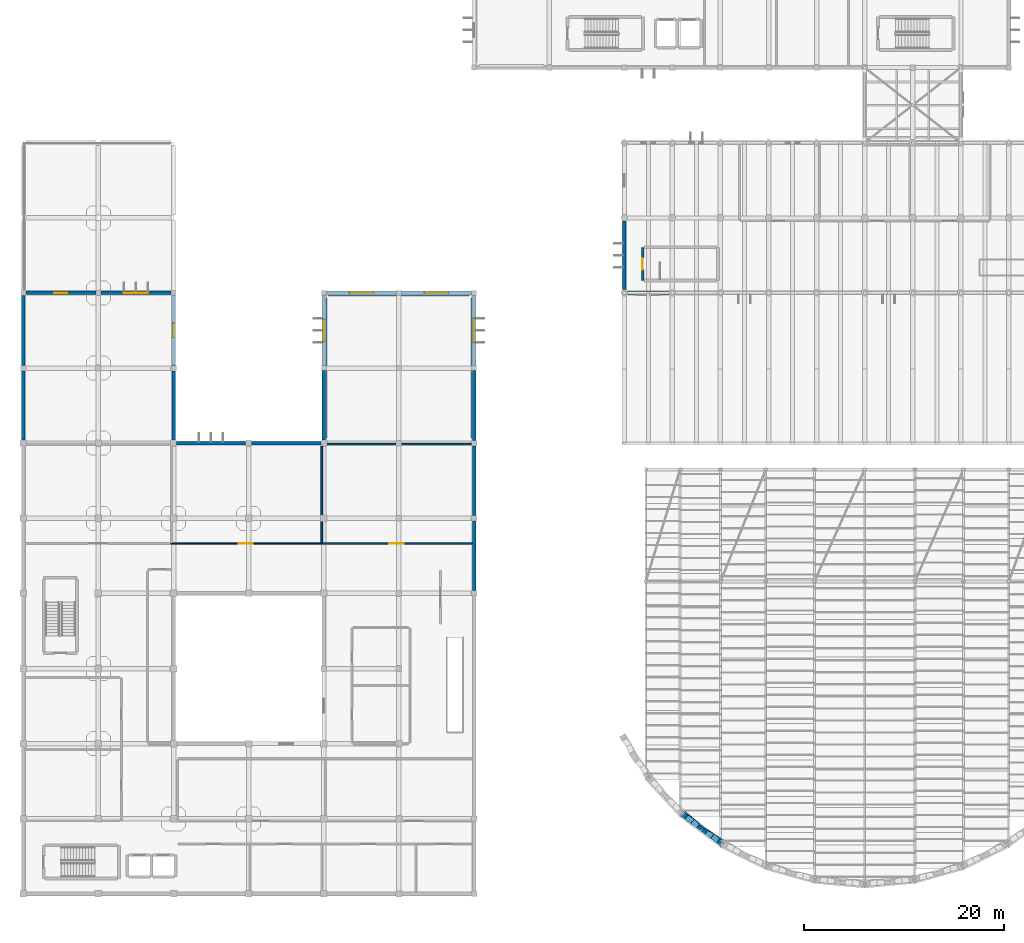
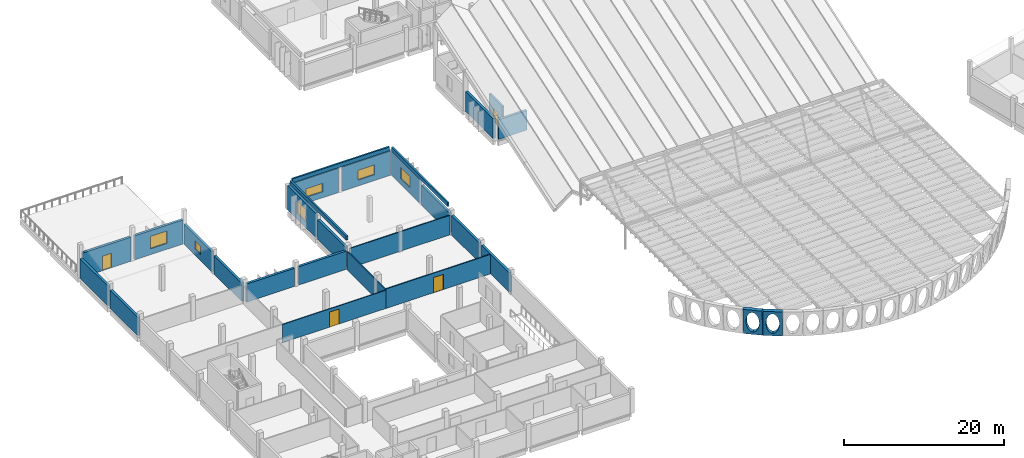
# One storey, part 26 of 47: 28 walls, 6 windows, 4 doors, 12 openings.
"""IFC4 building model written with IfcOpenShell, lengths in metres."""

from ifc_helpers import new_model, si_unit, direction, frame, frame_2d, origin, place, context, subcontext, project, spatial, polyline, rectangle, outline, extrude, material, layer, layer_set, type_object, element, fill, save


model = new_model("IFC4")

# Units and contexts
model_context = context("Model", 3, precision=1e-05, world=origin(), true_north=direction((0.0, 1.0)))
body_context = subcontext(model_context, "Body", "Model", "MODEL_VIEW")
ifc_project = project(units=[si_unit("LENGTHUNIT", "METRE"), si_unit("AREAUNIT", "SQUARE_METRE"), si_unit("VOLUMEUNIT", "CUBIC_METRE"), si_unit("PLANEANGLEUNIT", "RADIAN"), si_unit("MASSUNIT", "GRAM", prefix="KILO")], contexts=[model_context])

# Site, building, storey
site_placement = place(None, origin())
site = spatial("IfcSite", under=ifc_project, at=site_placement, CompositionType="ELEMENT")
building_placement = place(site_placement, origin())
building = spatial("IfcBuilding", under=site, at=building_placement, Name="Mawjan Specialist Oncology Clinic", CompositionType="ELEMENT")
storey_placement = place(building_placement, frame((0.0, 0.0, 9.5)))
storey = spatial("IfcBuildingStorey", under=building, at=storey_placement, Name="L02", CompositionType="ELEMENT", Elevation=9.5)

# Walls
ifc_material_1 = material(Name="Precast concrete C40/50", Category="concrete")
ifc_layer_1 = layer(ifc_material_1, 0.35009765625, Name="Precast concrete C40/50", Category="concrete")
ifc_layer_set_1 = layer_set([ifc_layer_1], Name="Precast concrete C40/50")
wall_type_1 = type_object("IfcWallType", Name="EW-350", PredefinedType="SOLIDWALL", material=ifc_layer_set_1)
for number, where, z_axis, x_axis, name in (
    (1, (15.300048828125, 45.800048828125, 0.0), (0.0, 0.0, 1.0), (1.0, 0.0, 0.0), "L02 Coral-Limestone Exterior Wall EW-L02-168"),
    (2, (22.800048828125, 45.800048828125, 0.0), (0.0, 0.0, 1.0), (1.0, 0.0, 0.0), "L02 Coral-Limestone Exterior Wall EW-L02-169"),
):
    element("IfcWall", number, at=place(storey_placement, frame(where, z_axis=z_axis, x_axis=x_axis)), inside=storey, type_object=wall_type_1, Name=name, PredefinedType="SOLIDWALL", context=body_context, shape_type="SweptSolid", body=[
        extrude(rectangle(XDim=6.89990234375, YDim=0.35009765625, at=frame_2d((3.449951171875, 0.0))), origin(), (0.0, 0.0, 1.0), 2.784912109375),
    ])
wall_1_placement = place(storey_placement, frame((30.0, 46.10009765625, 0.0), z_axis=(0.0, 0.0, 1.0), x_axis=(0.0, 1.0, 0.0)))
element("IfcWall", 3, at=wall_1_placement, inside=storey, type_object=wall_type_1, Name="L02 Coral-Limestone Exterior Wall EW-L02-170", PredefinedType="SOLIDWALL", context=body_context, shape_type="SweptSolid", body=[
    extrude(rectangle(XDim=6.949951171875, YDim=0.35009765625, at=frame_2d((3.47509765625, 0.0))), origin(), (0.0, 0.0, 1.0), 3.034912109375),
])

# Wall, opening, window
wall_2_placement = place(storey_placement, frame((30.0, 53.550048828125, 0.0), z_axis=(0.0, 0.0, 1.0), x_axis=(0.0, 1.0, 0.0)))
wall_2 = element("IfcWall", 4, at=wall_2_placement, inside=storey, type_object=wall_type_1, Name="L02 Coral-Limestone Exterior Wall EW-L02-171", PredefinedType="SOLIDWALL", context=body_context, shape_type="SweptSolid", body=[
    extrude(rectangle(XDim=7.0, YDim=0.35009765625, at=frame_2d((3.5, 0.0))), origin(), (0.0, 0.0, 1.0), 3.699951171875),
])
opening_1_placement = place(wall_2_placement, frame((2.39990234375, 0.0, 0.89990234375)))
opening_1 = element("IfcOpeningElement", 5, at=opening_1_placement, cuts=wall_2, Name="Opening WN-32", PredefinedType="OPENING", context=body_context, shape_type="SweptSolid", body=[
    extrude(rectangle(XDim=2.199951171875, YDim=1.89990234375, at=frame_2d((1.10009765625, 0.949951171875))), frame((0.0, 0.18701171875, 0.0), z_axis=(0.0, -1.0, 0.0), x_axis=(1.0, 0.0, 0.0)), (0.0, 0.0, 1.0), 0.3740234375),
])
ifc_material_2 = material(Name="Thermally broken low-E clinical aluminium window", Category="aluminium")
window_type_1 = type_object("IfcWindowType", Name="WN-32", PartitioningType="DOUBLE_PANEL_VERTICAL", PredefinedType="WINDOW", material=ifc_material_2)
window_1_placement = place(opening_1_placement, origin())
window_1 = element("IfcWindow", 6, at=window_1_placement, inside=storey, type_object=window_type_1, Name="L02 Clinical Low-E Window 032", OverallHeight=1.89990234375, OverallWidth=2.199951171875, PartitioningType="DOUBLE_PANEL_VERTICAL", PredefinedType="WINDOW", context=body_context, shape_type="SweptSolid", body=[
    extrude(rectangle(XDim=2.199951171875, YDim=1.89990234375, at=frame_2d((1.10009765625, 0.949951171875))), frame((0.0, 0.030029296875, 0.0), z_axis=(0.0, -1.0, 0.0), x_axis=(1.0, 0.0, 0.0)), (0.0, 0.0, 1.0), 0.06005859375),
])
fill(opening_1, window_1)

wall_3_placement = place(storey_placement, frame((30.25, 60.800048828125, 0.0), z_axis=(0.0, 0.0, 1.0), x_axis=(1.0, 0.0, 0.0)))
wall_3 = element("IfcWall", 7, at=wall_3_placement, inside=storey, type_object=wall_type_1, Name="L02 Coral-Limestone Exterior Wall EW-L02-172", PredefinedType="SOLIDWALL", context=body_context, shape_type="SweptSolid", body=[
    extrude(rectangle(XDim=7.0, YDim=0.35009765625, at=frame_2d((3.5, 0.0))), origin(), (0.0, 0.0, 1.0), 3.699951171875),
])
opening_2_placement = place(wall_3_placement, frame((2.300048828125, 0.0, 0.89990234375)))
opening_2 = element("IfcOpeningElement", 8, at=opening_2_placement, cuts=wall_3, Name="Opening WN-33", PredefinedType="OPENING", context=body_context, shape_type="SweptSolid", body=[
    extrude(rectangle(XDim=2.39990234375, YDim=1.300048828125, at=frame_2d((1.199951171875, 0.64990234375))), frame((0.0, 0.18701171875, 0.0), z_axis=(0.0, -1.0, 0.0), x_axis=(1.0, 0.0, 0.0)), (0.0, 0.0, 1.0), 0.3740234375),
])
ifc_material_3 = material(Name="Thermally broken low-E clinical aluminium window", Category="aluminium")
window_type_2 = type_object("IfcWindowType", Name="WN-33", PartitioningType="DOUBLE_PANEL_VERTICAL", PredefinedType="WINDOW", material=ifc_material_3)
window_2_placement = place(opening_2_placement, origin())
window_2 = element("IfcWindow", 9, at=window_2_placement, inside=storey, type_object=window_type_2, Name="L02 Clinical Low-E Window 033", OverallHeight=1.300048828125, OverallWidth=2.39990234375, PartitioningType="DOUBLE_PANEL_VERTICAL", PredefinedType="WINDOW", context=body_context, shape_type="SweptSolid", body=[
    extrude(rectangle(XDim=2.39990234375, YDim=1.300048828125, at=frame_2d((1.199951171875, 0.64990234375))), frame((0.0, 0.030029296875, 0.0), z_axis=(0.0, -1.0, 0.0), x_axis=(1.0, 0.0, 0.0)), (0.0, 0.0, 1.0), 0.06005859375),
])
fill(opening_2, window_2)

wall_4_placement = place(storey_placement, frame((37.75, 60.800048828125, 0.0), z_axis=(0.0, 0.0, 1.0), x_axis=(1.0, 0.0, 0.0)))
wall_4 = element("IfcWall", 10, at=wall_4_placement, inside=storey, type_object=wall_type_1, Name="L02 Coral-Limestone Exterior Wall EW-L02-173", PredefinedType="SOLIDWALL", context=body_context, shape_type="SweptSolid", body=[
    extrude(rectangle(XDim=7.0, YDim=0.35009765625, at=frame_2d((3.5, 0.0))), origin(), (0.0, 0.0, 1.0), 3.699951171875),
])
opening_3_placement = place(wall_4_placement, frame((2.300048828125, 0.0, 0.89990234375)))
opening_3 = element("IfcOpeningElement", 11, at=opening_3_placement, cuts=wall_4, Name="Opening WN-34", PredefinedType="OPENING", context=body_context, shape_type="SweptSolid", body=[
    extrude(rectangle(XDim=2.39990234375, YDim=1.5, at=frame_2d((1.199951171875, 0.75))), frame((0.0, 0.18701171875, 0.0), z_axis=(0.0, -1.0, 0.0), x_axis=(1.0, 0.0, 0.0)), (0.0, 0.0, 1.0), 0.3740234375),
])
ifc_material_4 = material(Name="Thermally broken low-E clinical aluminium window", Category="aluminium")
window_type_3 = type_object("IfcWindowType", Name="WN-34", PartitioningType="DOUBLE_PANEL_VERTICAL", PredefinedType="WINDOW", material=ifc_material_4)
window_3_placement = place(opening_3_placement, origin())
window_3 = element("IfcWindow", 12, at=window_3_placement, inside=storey, type_object=window_type_3, Name="L02 Clinical Low-E Window 034", OverallHeight=1.5, OverallWidth=2.39990234375, PartitioningType="DOUBLE_PANEL_VERTICAL", PredefinedType="WINDOW", context=body_context, shape_type="SweptSolid", body=[
    extrude(rectangle(XDim=2.39990234375, YDim=1.5, at=frame_2d((1.199951171875, 0.75))), frame((0.0, 0.030029296875, 0.0), z_axis=(0.0, -1.0, 0.0), x_axis=(1.0, 0.0, 0.0)), (0.0, 0.0, 1.0), 0.06005859375),
])
fill(opening_3, window_3)

wall_5_placement = place(storey_placement, frame((45.0, 60.550048828125, 0.0), z_axis=(0.0, 0.0, 1.0), x_axis=(0.0, -1.0, 0.0)))
wall_5 = element("IfcWall", 13, at=wall_5_placement, inside=storey, type_object=wall_type_1, Name="L02 Coral-Limestone Exterior Wall EW-L02-174", PredefinedType="SOLIDWALL", context=body_context, shape_type="SweptSolid", body=[
    extrude(rectangle(XDim=7.0, YDim=0.35009765625, at=frame_2d((3.5, 0.0))), origin(), (0.0, 0.0, 1.0), 3.699951171875),
])
opening_4_placement = place(wall_5_placement, frame((2.300048828125, 0.0, 0.89990234375)))
opening_4 = element("IfcOpeningElement", 14, at=opening_4_placement, cuts=wall_5, Name="Opening WN-35", PredefinedType="OPENING", context=body_context, shape_type="SweptSolid", body=[
    extrude(rectangle(XDim=2.39990234375, YDim=1.699951171875, at=frame_2d((1.199951171875, 0.85009765625))), frame((0.0, 0.18701171875, 0.0), z_axis=(0.0, -1.0, 0.0), x_axis=(1.0, 0.0, 0.0)), (0.0, 0.0, 1.0), 0.3740234375),
])
ifc_material_5 = material(Name="Thermally broken low-E clinical aluminium window", Category="aluminium")
window_type_4 = type_object("IfcWindowType", Name="WN-35", PartitioningType="DOUBLE_PANEL_VERTICAL", PredefinedType="WINDOW", material=ifc_material_5)
window_4_placement = place(opening_4_placement, origin())
window_4 = element("IfcWindow", 15, at=window_4_placement, inside=storey, type_object=window_type_4, Name="L02 Clinical Low-E Window 035", OverallHeight=1.699951171875, OverallWidth=2.39990234375, PartitioningType="DOUBLE_PANEL_VERTICAL", PredefinedType="WINDOW", context=body_context, shape_type="SweptSolid", body=[
    extrude(rectangle(XDim=2.39990234375, YDim=1.699951171875, at=frame_2d((1.199951171875, 0.85009765625))), frame((0.0, 0.030029296875, 0.0), z_axis=(0.0, -1.0, 0.0), x_axis=(1.0, 0.0, 0.0)), (0.0, 0.0, 1.0), 0.06005859375),
])
fill(opening_4, window_4)

# Walls
wall_6_placement = place(storey_placement, frame((45.0, 53.050048828125, 0.0), z_axis=(0.0, 0.0, 1.0), x_axis=(0.0, -1.0, 0.0)))
element("IfcWall", 16, at=wall_6_placement, inside=storey, type_object=wall_type_1, Name="L02 Coral-Limestone Exterior Wall EW-L02-175", PredefinedType="SOLIDWALL", context=body_context, shape_type="SweptSolid", body=[
    extrude(rectangle(XDim=6.97509765625, YDim=0.35009765625, at=frame_2d((3.487548828125, 0.0))), origin(), (0.0, 0.0, 1.0), 3.034912109375),
])
for number, where, z_axis, x_axis, name in (
    (17, (45.0, 45.52490234375, 0.0), (0.0, 0.0, 1.0), (0.0, -1.0, 0.0), "L02 Coral-Limestone Exterior Wall EW-L02-176"),
    (18, (45.0, 38.02490234375, 0.0), (0.0, 0.0, 1.0), (0.0, -1.0, 0.0), "L02 Coral-Limestone Exterior Wall EW-L02-177"),
):
    element("IfcWall", number, at=place(storey_placement, frame(where, z_axis=z_axis, x_axis=x_axis)), inside=storey, type_object=wall_type_1, Name=name, PredefinedType="SOLIDWALL", context=body_context, shape_type="SweptSolid", body=[
        extrude(rectangle(XDim=6.949951171875, YDim=0.35009765625, at=frame_2d((3.47509765625, 0.0))), origin(), (0.0, 0.0, 1.0), 2.985107421875),
    ])
wall_7_placement = place(storey_placement, frame((0.0, 46.10009765625, 0.0), z_axis=(0.0, 0.0, 1.0), x_axis=(0.0, 1.0, 0.0)))
element("IfcWall", 19, at=wall_7_placement, inside=storey, type_object=wall_type_1, Name="L02 Coral-Limestone Exterior Wall EW-L02-192", PredefinedType="SOLIDWALL", context=body_context, shape_type="SweptSolid", body=[
    extrude(rectangle(XDim=6.9248046875, YDim=0.35009765625, at=frame_2d((3.46240234375, 0.0))), origin(), (0.0, 0.0, 1.0), 2.784912109375),
])
wall_8_placement = place(storey_placement, frame((0.0, 53.574951171875, 0.0), z_axis=(0.0, 0.0, 1.0), x_axis=(0.0, 1.0, 0.0)))
element("IfcWall", 20, at=wall_8_placement, inside=storey, type_object=wall_type_1, Name="L02 Coral-Limestone Exterior Wall EW-L02-193", PredefinedType="SOLIDWALL", context=body_context, shape_type="SweptSolid", body=[
    extrude(rectangle(XDim=6.97509765625, YDim=0.35009765625, at=frame_2d((3.487548828125, 0.0))), origin(), (0.0, 0.0, 1.0), 3.034912109375),
])

# Wall, opening, door
wall_9_placement = place(storey_placement, frame((0.25, 60.800048828125, 0.0), z_axis=(0.0, 0.0, 1.0), x_axis=(1.0, 0.0, 0.0)))
wall_9 = element("IfcWall", 21, at=wall_9_placement, inside=storey, type_object=wall_type_1, Name="L02 Coral-Limestone Exterior Wall EW-L02-194", PredefinedType="SOLIDWALL", context=body_context, shape_type="SweptSolid", body=[
    extrude(rectangle(XDim=7.0, YDim=0.35009765625, at=frame_2d((3.5, 0.0))), origin(), (0.0, 0.0, 1.0), 3.669921875),
])
opening_5_placement = place(wall_9_placement, frame((2.85009765625, 0.0, 0.0)))
opening_5 = element("IfcOpeningElement", 22, at=opening_5_placement, cuts=wall_9, Name="Opening DT-130", PredefinedType="OPENING", context=body_context, shape_type="SweptSolid", body=[
    extrude(rectangle(XDim=1.300048828125, YDim=2.199951171875, at=frame_2d((0.64990234375, 1.10009765625))), frame((0.0, 0.18701171875, 0.0), z_axis=(0.0, -1.0, 0.0), x_axis=(1.0, 0.0, 0.0)), (0.0, 0.0, 1.0), 0.3740234375),
])
ifc_material_6 = material(Name="Insulated marine-grade aluminium entrance assembly", Category="aluminium")
door_type_1 = type_object("IfcDoorType", Name="DT-130", OperationType="NOTDEFINED", PredefinedType="DOOR", material=ifc_material_6)
door_1_placement = place(opening_5_placement, origin())
door_1 = element("IfcDoor", 23, at=door_1_placement, inside=storey, type_object=door_type_1, Name="L02 Healing Terrace Access Door 2", OperationType="SINGLE_SWING_LEFT", OverallHeight=2.199951171875, OverallWidth=1.300048828125, PredefinedType="DOOR", context=body_context, shape_type="SweptSolid", body=[
    extrude(rectangle(XDim=1.300048828125, YDim=2.199951171875, at=frame_2d((0.64990234375, 1.10009765625))), frame((0.0, 0.02490234375, 0.0), z_axis=(0.0, -1.0, 0.0), x_axis=(1.0, 0.0, 0.0)), (0.0, 0.0, 1.0), 0.050048828125),
])
fill(opening_5, door_1)

# Wall, opening, window
wall_10_placement = place(storey_placement, frame((7.75, 60.800048828125, 0.0), z_axis=(0.0, 0.0, 1.0), x_axis=(1.0, 0.0, 0.0)))
wall_10 = element("IfcWall", 24, at=wall_10_placement, inside=storey, type_object=wall_type_1, Name="L02 Coral-Limestone Exterior Wall EW-L02-195", PredefinedType="SOLIDWALL", context=body_context, shape_type="SweptSolid", body=[
    extrude(rectangle(XDim=7.0, YDim=0.35009765625, at=frame_2d((3.5, 0.0))), origin(), (0.0, 0.0, 1.0), 3.669921875),
])
opening_6_placement = place(wall_10_placement, frame((2.300048828125, 0.0, 0.89990234375)))
opening_6 = element("IfcOpeningElement", 25, at=opening_6_placement, cuts=wall_10, Name="Opening WN-36", PredefinedType="OPENING", context=body_context, shape_type="SweptSolid", body=[
    extrude(rectangle(XDim=2.39990234375, YDim=1.89990234375, at=frame_2d((1.199951171875, 0.949951171875))), frame((0.0, 0.18701171875, 0.0), z_axis=(0.0, -1.0, 0.0), x_axis=(1.0, 0.0, 0.0)), (0.0, 0.0, 1.0), 0.3740234375),
])
ifc_material_7 = material(Name="Thermally broken low-E clinical aluminium window", Category="aluminium")
window_type_5 = type_object("IfcWindowType", Name="WN-36", PartitioningType="DOUBLE_PANEL_VERTICAL", PredefinedType="WINDOW", material=ifc_material_7)
window_5_placement = place(opening_6_placement, origin())
window_5 = element("IfcWindow", 26, at=window_5_placement, inside=storey, type_object=window_type_5, Name="L02 Clinical Low-E Window 036", OverallHeight=1.89990234375, OverallWidth=2.39990234375, PartitioningType="DOUBLE_PANEL_VERTICAL", PredefinedType="WINDOW", context=body_context, shape_type="SweptSolid", body=[
    extrude(rectangle(XDim=2.39990234375, YDim=1.89990234375, at=frame_2d((1.199951171875, 0.949951171875))), frame((0.0, 0.030029296875, 0.0), z_axis=(0.0, -1.0, 0.0), x_axis=(1.0, 0.0, 0.0)), (0.0, 0.0, 1.0), 0.06005859375),
])
fill(opening_6, window_5)

wall_11_placement = place(storey_placement, frame((15.0, 60.550048828125, 0.0), z_axis=(0.0, 0.0, 1.0), x_axis=(0.0, -1.0, 0.0)))
wall_11 = element("IfcWall", 27, at=wall_11_placement, inside=storey, type_object=wall_type_1, Name="L02 Coral-Limestone Exterior Wall EW-L02-196", PredefinedType="SOLIDWALL", context=body_context, shape_type="SweptSolid", body=[
    extrude(rectangle(XDim=6.97509765625, YDim=0.35009765625, at=frame_2d((3.487548828125, 0.0))), origin(), (0.0, 0.0, 1.0), 3.034912109375),
])
opening_7_placement = place(wall_11_placement, frame((2.78759765625, 0.0, 0.89990234375)))
opening_7 = element("IfcOpeningElement", 28, at=opening_7_placement, cuts=wall_11, Name="Opening WN-13", PredefinedType="OPENING", context=body_context, shape_type="SweptSolid", body=[
    extrude(rectangle(XDim=1.39990234375, YDim=1.300048828125, at=frame_2d((0.699951171875, 0.64990234375))), frame((0.0, 0.18701171875, 0.0), z_axis=(0.0, -1.0, 0.0), x_axis=(1.0, 0.0, 0.0)), (0.0, 0.0, 1.0), 0.3740234375),
])
ifc_material_8 = material(Name="Thermally broken low-E clinical aluminium window", Category="aluminium")
window_type_6 = type_object("IfcWindowType", Name="WN-13", PartitioningType="SINGLE_PANEL", PredefinedType="WINDOW", material=ifc_material_8)
window_6_placement = place(opening_7_placement, origin())
window_6 = element("IfcWindow", 29, at=window_6_placement, inside=storey, type_object=window_type_6, Name="L02 Clinical Low-E Window 037", OverallHeight=1.300048828125, OverallWidth=1.39990234375, PartitioningType="SINGLE_PANEL", PredefinedType="WINDOW", context=body_context, shape_type="SweptSolid", body=[
    extrude(rectangle(XDim=1.39990234375, YDim=1.300048828125, at=frame_2d((0.699951171875, 0.64990234375))), frame((0.0, 0.030029296875, 0.0), z_axis=(0.0, -1.0, 0.0), x_axis=(1.0, 0.0, 0.0)), (0.0, 0.0, 1.0), 0.06005859375),
])
fill(opening_7, window_6)

# Walls
wall_12_placement = place(storey_placement, frame((15.0, 53.02490234375, 0.0), z_axis=(0.0, 0.0, 1.0), x_axis=(0.0, -1.0, 0.0)))
element("IfcWall", 30, at=wall_12_placement, inside=storey, type_object=wall_type_1, Name="L02 Coral-Limestone Exterior Wall EW-L02-197", PredefinedType="SOLIDWALL", context=body_context, shape_type="SweptSolid", body=[
    extrude(rectangle(XDim=6.9248046875, YDim=0.35009765625, at=frame_2d((3.46240234375, 0.0))), origin(), (0.0, 0.0, 1.0), 2.784912109375),
])
wall_13_placement = place(storey_placement, frame((64.47509765625, 60.800048828125, 0.0), z_axis=(0.0, 0.0, 1.0), x_axis=(-1.0, 0.0, 0.0)))
element("IfcWall", 31, at=wall_13_placement, inside=storey, type_object=wall_type_1, Name="L02 Coral-Limestone Exterior Wall EW-L02-245", PredefinedType="SOLIDWALL", context=body_context, shape_type="SweptSolid", body=[
    extrude(rectangle(XDim=4.150146484375, YDim=0.35009765625, at=frame_2d((2.0751953125, 0.0))), origin(), (0.0, 0.0, 1.0), 2.994384765625),
])
wall_14_placement = place(storey_placement, frame((60.0, 61.125, 0.0), z_axis=(0.0, 0.0, 1.0), x_axis=(0.0, 1.0, 0.0)))
element("IfcWall", 32, at=wall_14_placement, inside=storey, type_object=wall_type_1, Name="L02 Coral-Limestone Exterior Wall EW-L02-246", PredefinedType="SOLIDWALL", context=body_context, shape_type="SweptSolid", body=[
    extrude(rectangle(XDim=6.85009765625, YDim=0.35009765625, at=frame_2d((3.425048828125, 0.0))), origin(), (0.0, 0.0, 1.0), 3.0576171875),
])

# Wall, opening
ifc_material_9 = material(Name="Concrete C45/55", Category="concrete")
ifc_layer_2 = layer(ifc_material_9, 0.550048828125, Name="Concrete C45/55", Category="concrete")
ifc_layer_set_2 = layer_set([ifc_layer_2], Name="Concrete C45/55")
wall_type_2 = type_object("IfcWallType", Name="EW-ARC550", PredefinedType="SOLIDWALL", material=ifc_layer_set_2)
wall_15_placement = place(storey_placement, frame((67.784423828125, 7.3095703125, 0.0), z_axis=(0.0, 0.0, 1.0), x_axis=(-0.773033287007, 0.634365460266, 0.0)))
wall_15 = element("IfcWall", 33, at=wall_15_placement, inside=storey, type_object=wall_type_2, Name="Curved Stone-Arc Wall L02 Chord 05", PredefinedType="SOLIDWALL", context=body_context, shape_type="SweptSolid", body=[
    extrude(outline(polyline([(-0.27490234375, 0.0), (0.27490234375, 0.0), (0.73095703125, 4.0), (0.1806640625, 4.0), (-0.27490234375, 0.0)])), frame((0.0, 0.0, 0.0), z_axis=(1.0, 0.0, 0.0), x_axis=(0.0, 1.0, 0.0)), (0.0, 0.0, 1.0), 2.45068359375),
])
opening_8_placement = place(wall_15_placement, origin())
element("IfcOpeningElement", 34, at=opening_8_placement, cuts=wall_15, Name="Elliptical sky opening 1", PredefinedType="OPENING", context=body_context, shape_type="SweptSolid", body=[
    extrude(outline(polyline([(2.065185546875, 2.0), (2.049072265625, 2.315185546875), (2.00146484375, 2.618408203125), (1.923828125, 2.897705078125), (1.8193359375, 3.142578125), (1.69189453125, 3.343505859375), (1.546875, 3.492919921875), (1.38916015625, 3.5849609375), (1.225341796875, 3.615966796875), (1.0615234375, 3.5849609375), (0.90380859375, 3.492919921875), (0.758544921875, 3.343505859375), (0.63134765625, 3.142578125), (0.52685546875, 2.897705078125), (0.44921875, 2.618408203125), (0.4013671875, 2.315185546875), (0.38525390625, 2.0), (0.4013671875, 1.684814453125), (0.44921875, 1.381591796875), (0.52685546875, 1.102294921875), (0.63134765625, 0.857421875), (0.758544921875, 0.656494140625), (0.90380859375, 0.507080078125), (1.0615234375, 0.4150390625), (1.225341796875, 0.384033203125), (1.38916015625, 0.4150390625), (1.546875, 0.507080078125), (1.69189453125, 0.656494140625), (1.8193359375, 0.857421875), (1.923828125, 1.102294921875), (2.00146484375, 1.381591796875), (2.049072265625, 1.684814453125), (2.065185546875, 2.0)])), frame((0.0, 0.750732421875, 0.0), z_axis=(0.0, -1.0, 0.0), x_axis=(1.0, 0.0, 0.0)), (0.0, 0.0, 1.0), 1.0458984375),
])

wall_16_placement = place(storey_placement, frame((69.837158203125, 5.9169921875, 0.0), z_axis=(0.0, 0.0, 1.0), x_axis=(-0.827842582247, 0.560960479017, 0.0)))
wall_16 = element("IfcWall", 35, at=wall_16_placement, inside=storey, type_object=wall_type_2, Name="Curved Stone-Arc Wall L02 Chord 06", PredefinedType="SOLIDWALL", context=body_context, shape_type="SweptSolid", body=[
    extrude(outline(polyline([(-0.27490234375, 0.0), (0.27490234375, 0.0), (0.73095703125, 4.0), (0.1806640625, 4.0), (-0.27490234375, 0.0)])), frame((0.0, 0.0, 0.0), z_axis=(1.0, 0.0, 0.0), x_axis=(0.0, 1.0, 0.0)), (0.0, 0.0, 1.0), 2.45068359375),
])
opening_9_placement = place(wall_16_placement, origin())
element("IfcOpeningElement", 36, at=opening_9_placement, cuts=wall_16, Name="Elliptical sky opening 1", PredefinedType="OPENING", context=body_context, shape_type="SweptSolid", body=[
    extrude(outline(polyline([(2.065185546875, 2.0), (2.049072265625, 2.315185546875), (2.00146484375, 2.618408203125), (1.923828125, 2.897705078125), (1.8193359375, 3.142578125), (1.69189453125, 3.343505859375), (1.546875, 3.492919921875), (1.38916015625, 3.5849609375), (1.225341796875, 3.615966796875), (1.0615234375, 3.5849609375), (0.90380859375, 3.492919921875), (0.758544921875, 3.343505859375), (0.63134765625, 3.142578125), (0.52685546875, 2.897705078125), (0.44921875, 2.618408203125), (0.4013671875, 2.315185546875), (0.38525390625, 2.0), (0.4013671875, 1.684814453125), (0.44921875, 1.381591796875), (0.52685546875, 1.102294921875), (0.63134765625, 0.857421875), (0.758544921875, 0.656494140625), (0.90380859375, 0.507080078125), (1.0615234375, 0.4150390625), (1.225341796875, 0.384033203125), (1.38916015625, 0.4150390625), (1.546875, 0.507080078125), (1.69189453125, 0.656494140625), (1.8193359375, 0.857421875), (1.923828125, 1.102294921875), (2.00146484375, 1.381591796875), (2.049072265625, 1.684814453125), (2.065185546875, 2.0)])), frame((0.0, 0.750732421875, 0.0), z_axis=(0.0, -1.0, 0.0), x_axis=(1.0, 0.0, 0.0)), (0.0, 0.0, 1.0), 1.0458984375),
])

# Walls
ifc_material_10 = material(Name="Precast concrete C40/50", Category="concrete")
ifc_layer_3 = layer(ifc_material_10, 0.239990234375, Name="Precast concrete C40/50", Category="concrete")
ifc_layer_set_3 = layer_set([ifc_layer_3], Name="Precast concrete C40/50")
wall_type_3 = type_object("IfcWallType", Name="PAR-240", PredefinedType="PARAPET", material=ifc_layer_set_3)
wall_17_placement = place(storey_placement, frame((30.47998046875, 60.6201171875, 3.89990234375), z_axis=(0.0, 0.0, 1.0), x_axis=(1.0, 0.0, 0.0)))
element("IfcWall", 37, at=wall_17_placement, inside=storey, type_object=wall_type_3, Name="L02 Roof Parapet Upstand 18", PredefinedType="PARAPET", context=body_context, shape_type="SweptSolid", body=[
    extrude(rectangle(XDim=14.0400390625, YDim=0.239990234375, at=frame_2d((7.02001953125, 0.0))), origin(), (0.0, 0.0, 1.0), 0.60009765625),
])
ifc_material_11 = material(Name="Precast concrete C40/50", Category="concrete")
ifc_layer_4 = layer(ifc_material_11, 0.260009765625, Name="Precast concrete C40/50", Category="concrete")
ifc_layer_set_4 = layer_set([ifc_layer_4], Name="Precast concrete C40/50")
wall_type_4 = type_object("IfcWallType", Name="PAR-260", PredefinedType="PARAPET", material=ifc_layer_set_4)
for number, where, z_axis, x_axis, name in (
    (38, (30.179931640625, 46.300048828125, 3.89990234375), (0.0, 0.0, 1.0), (0.0, 1.0, 0.0), "L02 Roof Parapet Upstand 17"),
    (39, (44.820068359375, 60.320068359375, 3.89990234375), (0.0, 0.0, 1.0), (0.0, -1.0, 0.0), "L02 Roof Parapet Upstand 19"),
):
    element("IfcWall", number, at=place(storey_placement, frame(where, z_axis=z_axis, x_axis=x_axis)), inside=storey, type_object=wall_type_4, Name=name, PredefinedType="PARAPET", context=body_context, shape_type="SweptSolid", body=[
        extrude(rectangle(XDim=14.02001953125, YDim=0.260009765625, at=frame_2d((7.010009765625, 0.0))), origin(), (0.0, 0.0, 1.0), 0.60009765625),
    ])

# Wall, opening, door
ifc_material_12 = material(Name="Concrete C45/55", Category="concrete")
ifc_layer_5 = layer(ifc_material_12, 0.280029296875, Name="Concrete C45/55", Category="concrete")
ifc_layer_set_5 = layer_set([ifc_layer_5], Name="Concrete C45/55")
wall_type_5 = type_object("IfcWallType", Name="SW-300", PredefinedType="SHEAR", material=ifc_layer_set_5)
wall_18_placement = place(storey_placement, frame((61.840087890625, 65.360107421875, 0.0), z_axis=(0.0, 0.0, 1.0), x_axis=(0.0, -1.0, 0.0)))
wall_18 = element("IfcWall", 40, at=wall_18_placement, inside=storey, type_object=wall_type_5, Name="L02 Core K7 Stair Shear Wall 4", PredefinedType="SHEAR", context=body_context, shape_type="SweptSolid", body=[
    extrude(rectangle(XDim=3.320068359375, YDim=0.280029296875, at=frame_2d((1.66015625, 0.0))), origin(), (0.0, 0.0, 1.0), 3.699951171875),
])
opening_10_placement = place(wall_18_placement, frame((1.0849609375, 0.0, 0.0)))
opening_10 = element("IfcOpeningElement", 41, at=opening_10_placement, cuts=wall_18, Name="Opening FD-90", PredefinedType="OPENING", context=body_context, shape_type="SweptSolid", body=[
    extrude(rectangle(XDim=1.14990234375, YDim=2.14990234375, at=frame_2d((0.574951171875, 1.074951171875))), frame((0.0, 0.152099609375, 0.0), z_axis=(0.0, -1.0, 0.0), x_axis=(1.0, 0.0, 0.0)), (0.0, 0.0, 1.0), 0.303955078125),
])
ifc_material_13 = material(Name="Stainless-steel fire-rated hospital door", Category="steel")
door_type_2 = type_object("IfcDoorType", Name="FD-90", OperationType="NOTDEFINED", PredefinedType="DOOR", material=ifc_material_13)
door_2_placement = place(opening_10_placement, origin())
door_2 = element("IfcDoor", 42, at=door_2_placement, inside=storey, type_object=door_type_2, Name="L02 ST-07 Fire Exit Stair Door", OperationType="SINGLE_SWING_LEFT", OverallHeight=2.14990234375, OverallWidth=1.14990234375, PredefinedType="DOOR", context=body_context, shape_type="SweptSolid", body=[
    extrude(rectangle(XDim=1.14990234375, YDim=2.14990234375, at=frame_2d((0.574951171875, 1.074951171875))), frame((0.0, 0.02490234375, 0.0), z_axis=(0.0, -1.0, 0.0), x_axis=(1.0, 0.0, 0.0)), (0.0, 0.0, 1.0), 0.050048828125),
])
fill(opening_10, door_2)

ifc_material_14 = material(Name="Moisture-resistant washroom partition", Category="gypsum")
ifc_layer_6 = layer(ifc_material_14, 0.125, Name="Moisture-resistant washroom partition", Category="gypsum")
ifc_layer_set_6 = layer_set([ifc_layer_6], Name="Moisture-resistant washroom partition")
wall_type_6 = type_object("IfcWallType", Name="WP-125", PredefinedType="PARTITIONING", material=ifc_layer_set_6)
wall_19_placement = place(storey_placement, frame((14.72705078125, 35.800048828125, 0.0), z_axis=(0.0, 0.0, 1.0), x_axis=(1.0, 0.0, 0.0)))
wall_19 = element("IfcWall", 43, at=wall_19_placement, inside=storey, type_object=wall_type_6, Name="L02 Interior Partition W-INT-L02-206-C", PredefinedType="PARTITIONING", context=body_context, shape_type="SweptSolid", body=[
    extrude(rectangle(XDim=14.988037109375, YDim=0.125, at=frame_2d((7.494140625, 0.0))), origin(), (0.0, 0.0, 1.0), 2.784912109375),
])
opening_11_placement = place(wall_19_placement, frame((6.803955078125, 0.0, 0.0)))
opening_11 = element("IfcOpeningElement", 44, at=opening_11_placement, cuts=wall_19, Name="Opening DM-MRI", PredefinedType="OPENING", context=body_context, shape_type="SweptSolid", body=[
    extrude(rectangle(XDim=1.3798828125, YDim=2.300048828125, at=frame_2d((0.68994140625, 1.14990234375))), frame((0.0, 0.074462890625, 0.0), z_axis=(0.0, -1.0, 0.0), x_axis=(1.0, 0.0, 0.0)), (0.0, 0.0, 1.0), 0.14892578125),
])
ifc_material_15 = material(Name="Acoustic laminate hospital door leaf", Category="wood")
door_type_3 = type_object("IfcDoorType", Name="DM-MRI", OperationType="NOTDEFINED", PredefinedType="DOOR", material=ifc_material_15)
door_3_placement = place(opening_11_placement, origin())
door_3 = element("IfcDoor", 45, at=door_3_placement, inside=storey, type_object=door_type_3, Name="L02 Genetic Counseling Room Door", OperationType="SINGLE_SWING_RIGHT", OverallHeight=2.300048828125, OverallWidth=1.3798828125, PredefinedType="DOOR", context=body_context, shape_type="SweptSolid", body=[
    extrude(rectangle(XDim=1.3798828125, YDim=2.300048828125, at=frame_2d((0.68994140625, 1.14990234375))), frame((0.0, 0.02490234375, 0.0), z_axis=(0.0, -1.0, 0.0), x_axis=(1.0, 0.0, 0.0)), (0.0, 0.0, 1.0), 0.050048828125),
])
fill(opening_11, door_3)

ifc_material_16 = material(Name="Acoustic gypsum clinical partition", Category="gypsum")
ifc_layer_7 = layer(ifc_material_16, 0.14990234375, Name="Acoustic gypsum clinical partition", Category="gypsum")
ifc_layer_set_7 = layer_set([ifc_layer_7], Name="Acoustic gypsum clinical partition")
wall_type_7 = type_object("IfcWallType", Name="WP-150", PredefinedType="PARTITIONING", material=ifc_layer_set_7)
wall_20_placement = place(storey_placement, frame((29.72705078125, 35.800048828125, 0.0), z_axis=(0.0, 0.0, 1.0), x_axis=(1.0, 0.0, 0.0)))
wall_20 = element("IfcWall", 46, at=wall_20_placement, inside=storey, type_object=wall_type_7, Name="L02 Interior Partition W-INT-L02-207-C", PredefinedType="PARTITIONING", context=body_context, shape_type="SweptSolid", body=[
    extrude(rectangle(XDim=15.0859375, YDim=0.14990234375, at=frame_2d((7.54296875, 0.0))), origin(), (0.0, 0.0, 1.0), 2.985107421875),
])
opening_12_placement = place(wall_20_placement, frame((6.822998046875, 0.0, 0.0)))
opening_12 = element("IfcOpeningElement", 47, at=opening_12_placement, cuts=wall_20, Name="Opening DM-CT", PredefinedType="OPENING", context=body_context, shape_type="SweptSolid", body=[
    extrude(rectangle(XDim=1.43994140625, YDim=2.320068359375, at=frame_2d((0.719970703125, 1.16015625))), frame((0.0, 0.0869140625, 0.0), z_axis=(0.0, -1.0, 0.0), x_axis=(1.0, 0.0, 0.0)), (0.0, 0.0, 1.0), 0.173828125),
])
ifc_material_17 = material(Name="Acoustic laminate hospital door leaf", Category="wood")
door_type_4 = type_object("IfcDoorType", Name="DM-CT", OperationType="NOTDEFINED", PredefinedType="DOOR", material=ifc_material_17)
door_4_placement = place(opening_12_placement, origin())
door_4 = element("IfcDoor", 48, at=door_4_placement, inside=storey, type_object=door_type_4, Name="L02 Pain Management Consulting Room Door", OperationType="SINGLE_SWING_LEFT", OverallHeight=2.320068359375, OverallWidth=1.43994140625, PredefinedType="DOOR", context=body_context, shape_type="SweptSolid", body=[
    extrude(rectangle(XDim=1.43994140625, YDim=2.320068359375, at=frame_2d((0.719970703125, 1.16015625))), frame((0.0, 0.02490234375, 0.0), z_axis=(0.0, -1.0, 0.0), x_axis=(1.0, 0.0, 0.0)), (0.0, 0.0, 1.0), 0.050048828125),
])
fill(opening_12, door_4)

# Walls
wall_21_placement = place(storey_placement, frame((30.177978515625, 45.719970703125, 0.0), z_axis=(0.0, 0.0, 1.0), x_axis=(1.0, 0.0, 0.0)))
element("IfcWall", 49, at=wall_21_placement, inside=storey, type_object=wall_type_7, Name="L02 Interior Partition W-INT-L02-207-R", PredefinedType="PARTITIONING", context=body_context, shape_type="SweptSolid", body=[
    extrude(rectangle(XDim=14.534912109375, YDim=0.14990234375, at=frame_2d((7.267578125, 0.0))), origin(), (0.0, 0.0, 1.0), 2.985107421875),
])
ifc_material_18 = material(Name="Acoustic clinical twin-stud partition", Category="gypsum")
ifc_layer_8 = layer(ifc_material_18, 0.159912109375, Name="Acoustic clinical twin-stud partition", Category="gypsum")
ifc_layer_set_8 = layer_set([ifc_layer_8], Name="Acoustic clinical twin-stud partition")
wall_type_8 = type_object("IfcWallType", Name="WP-160", PredefinedType="PARTITIONING", material=ifc_layer_set_8)
wall_22_placement = place(storey_placement, frame((29.800048828125, 35.886962890625, 0.0), z_axis=(0.0, 0.0, 1.0), x_axis=(0.0, 1.0, 0.0)))
element("IfcWall", 50, at=wall_22_placement, inside=storey, type_object=wall_type_8, Name="L02 Interior Partition W-INT-L02-206-D", PredefinedType="PARTITIONING", context=body_context, shape_type="SweptSolid", body=[
    extrude(rectangle(XDim=9.60107421875, YDim=0.159912109375, at=frame_2d((4.800537109375, 0.0))), origin(), (0.0, 0.0, 1.0), 2.784912109375),
])

save(model, "model.ifc")
